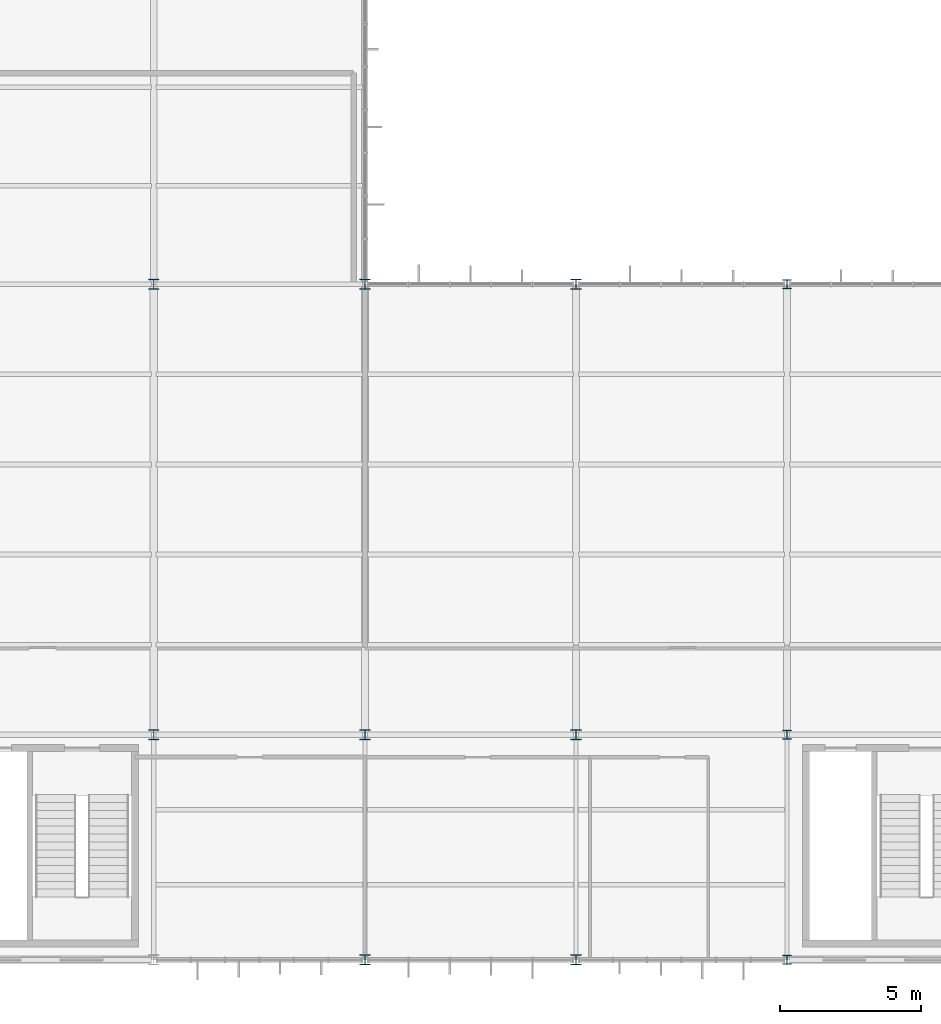
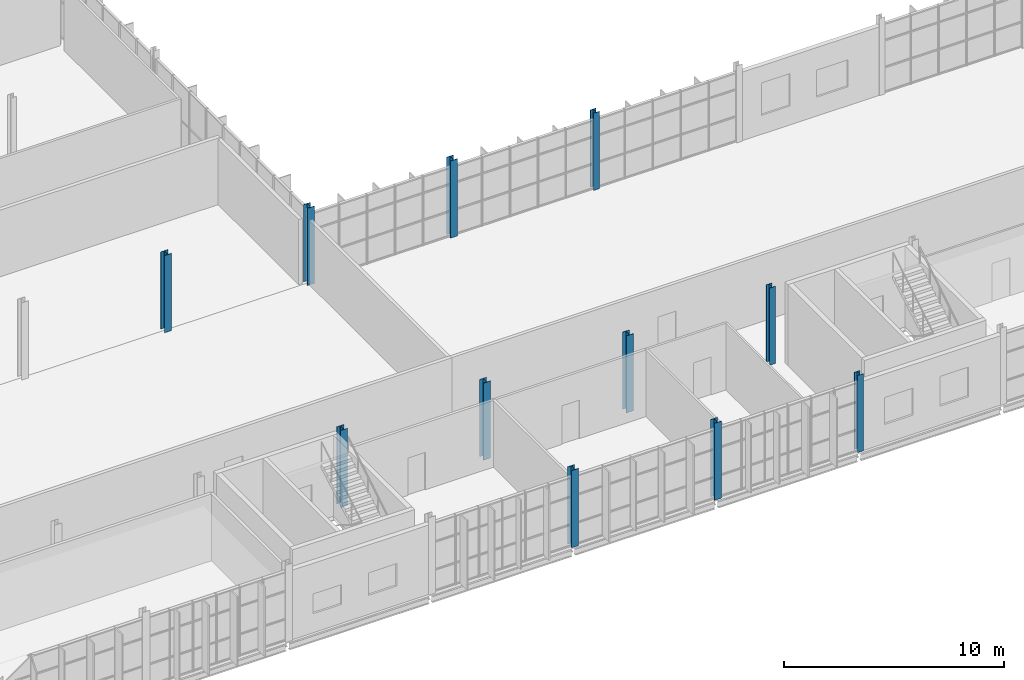
# One storey, part 2 of 324: 11 columns.
"""IFC4 building model written with IfcOpenShell, lengths in metres."""

from ifc_helpers import new_model, si_unit, direction, frame, origin, origin_2d, place, context, subcontext, project, spatial, i_section, extrude, material, material_profile, profile_set, type_object, element, save


model = new_model("IFC4")

# Units and contexts
model_context = context("Model", 3, precision=1e-05, world=origin(), true_north=direction((0.0, 1.0)))
body_context = subcontext(model_context, "Body", "Model", "MODEL_VIEW")
ifc_project = project(units=[si_unit("LENGTHUNIT", "METRE"), si_unit("AREAUNIT", "SQUARE_METRE"), si_unit("VOLUMEUNIT", "CUBIC_METRE"), si_unit("PLANEANGLEUNIT", "RADIAN"), si_unit("MASSUNIT", "GRAM", prefix="KILO")], contexts=[model_context])

# Site, building, storey
site_placement = place(None, origin())
site = spatial("IfcSite", under=ifc_project, at=site_placement, CompositionType="ELEMENT")
building_placement = place(site_placement, origin())
building = spatial("IfcBuilding", under=site, at=building_placement, Name="Solvenia Promenade Tram Depot", CompositionType="ELEMENT")
storey_placement = place(building_placement, frame((0.0, 0.0, 4.5)))
storey = spatial("IfcBuildingStorey", under=building, at=storey_placement, Name="L01", CompositionType="ELEMENT", Elevation=4.5)

# Columns
ifc_material = material(Name="Structural steel ASTM A992 Gr. 50", Category="steel")
ifc_material_profile_1 = material_profile(ifc_material, i_section(OverallWidth=0.306884765625, OverallDepth=0.31396484375, WebThickness=0.011962890625, FlangeThickness=0.018798828125, FilletRadius=0.014892578125, at=origin_2d()), Name="W310x117", Category="steel")
ifc_profile_set_1 = profile_set([ifc_material_profile_1], Name="Structural steel ASTM A992 Gr. 50")
column_type_1 = type_object("IfcColumnType", Name="Col-W310x117", PredefinedType="COLUMN", material=ifc_profile_set_1)
for number, where, z_axis, x_axis, name in (
    (1, (60.0, 0.0, 0.0), (0.0, 0.0, 1.0), (1.0, 0.0, 0.0), "Steel Column COL-L01-139"),
    (2, (60.0, 8.0, 0.0), (0.0, 0.0, 1.0), (1.0, 0.0, 0.0), "Steel Column COL-L01-141"),
    (3, (60.0, 24.0, 0.0), (0.0, 0.0, 1.0), (1.0, 0.0, 0.0), "Steel Column COL-L01-143"),
):
    element("IfcColumn", number, at=place(storey_placement, frame(where, z_axis=z_axis, x_axis=x_axis)), inside=storey, type_object=column_type_1, Name=name, PredefinedType="COLUMN", context=body_context, shape_type="SweptSolid", body=[
        extrude(i_section(OverallWidth=0.306884765625, OverallDepth=0.31396484375, WebThickness=0.011962890625, FlangeThickness=0.018798828125, FilletRadius=0.014892578125, at=origin_2d()), origin(), (0.0, 0.0, 1.0), 4.280029296875),
    ])
ifc_material_profile_2 = material_profile(ifc_material, i_section(OverallWidth=0.3701171875, OverallDepth=0.360107421875, WebThickness=0.01220703125, FlangeThickness=0.019775390625, FilletRadius=0.014892578125, at=origin_2d()), Name="W360x147", Category="steel")
ifc_profile_set_2 = profile_set([ifc_material_profile_2], Name="Structural steel ASTM A992 Gr. 50")
column_type_2 = type_object("IfcColumnType", Name="Col-W360x147", PredefinedType="COLUMN", material=ifc_profile_set_2)
for number, where, z_axis, x_axis, name in (
    (4, (37.5, 8.0, 0.0), (0.0, 0.0, 1.0), (1.0, 0.0, 0.0), "Steel Column COL-L01-092"),
    (5, (37.5, 24.0, 0.0), (0.0, 0.0, 1.0), (1.0, 0.0, 0.0), "Steel Column COL-L01-095"),
    (6, (45.0, 0.0, 0.0), (0.0, 0.0, 1.0), (1.0, 0.0, 0.0), "Steel Column COL-L01-107"),
    (7, (45.0, 8.0, 0.0), (0.0, 0.0, 1.0), (1.0, 0.0, 0.0), "Steel Column COL-L01-110"),
    (8, (45.0, 24.0, 0.0), (0.0, 0.0, 1.0), (1.0, 0.0, 0.0), "Steel Column COL-L01-113"),
    (9, (52.5, 0.0, 0.0), (0.0, 0.0, 1.0), (1.0, 0.0, 0.0), "Steel Column COL-L01-125"),
    (10, (52.5, 8.0, 0.0), (0.0, 0.0, 1.0), (1.0, 0.0, 0.0), "Steel Column COL-L01-128"),
    (11, (52.5, 24.0, 0.0), (0.0, 0.0, 1.0), (1.0, 0.0, 0.0), "Steel Column COL-L01-131"),
):
    element("IfcColumn", number, at=place(storey_placement, frame(where, z_axis=z_axis, x_axis=x_axis)), inside=storey, type_object=column_type_2, Name=name, PredefinedType="COLUMN", context=body_context, shape_type="SweptSolid", body=[
        extrude(i_section(OverallWidth=0.3701171875, OverallDepth=0.360107421875, WebThickness=0.01220703125, FlangeThickness=0.019775390625, FilletRadius=0.014892578125, at=origin_2d()), origin(), (0.0, 0.0, 1.0), 4.280029296875),
    ])

save(model, "model.ifc")
